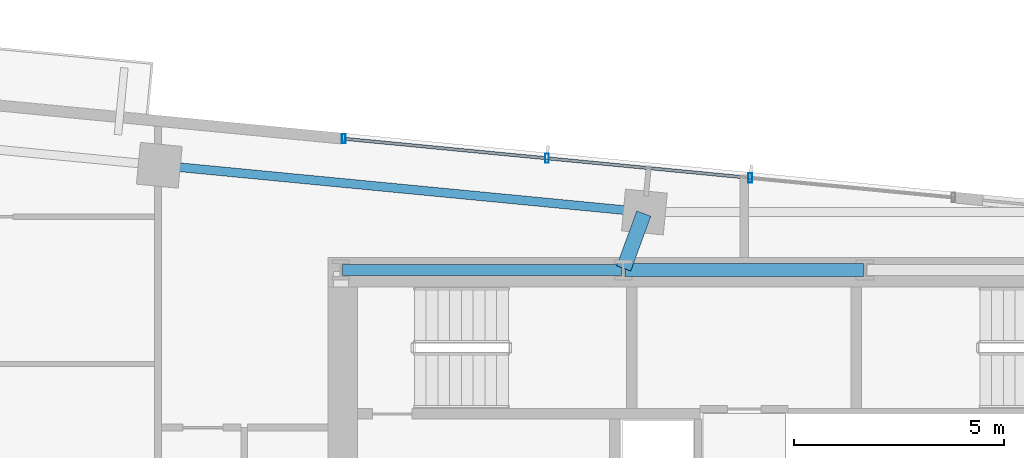
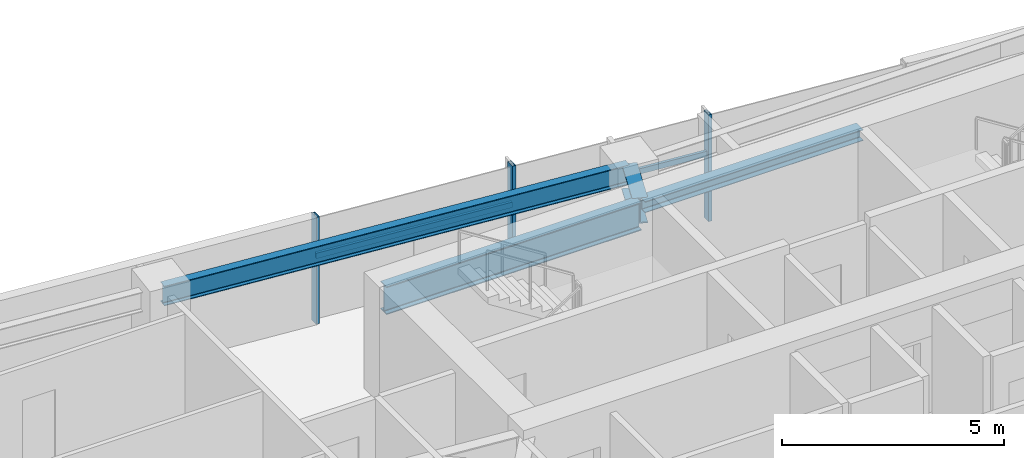
# One storey, part 7 of 19: 5 members, 4 beams, 1 element without a shape of its own.
"""IFC4 building model written with IfcOpenShell, lengths in metres."""

from ifc_helpers import new_model, si_unit, direction, frame, origin, origin_2d, place, context, subcontext, project, spatial, hollow_rectangle, i_section, extrude, source, transform, mapped, material, material_profile, profile_set, type_object, type_shapes, element, aggregate, save


model = new_model("IFC4")

# Units and contexts
model_context = context("Model", 3, precision=1e-05, world=origin(), true_north=direction((0.0, 1.0)))
body_context = subcontext(model_context, "Body", "Model", "MODEL_VIEW")
ifc_project = project(units=[si_unit("LENGTHUNIT", "METRE"), si_unit("AREAUNIT", "SQUARE_METRE"), si_unit("VOLUMEUNIT", "CUBIC_METRE"), si_unit("PLANEANGLEUNIT", "RADIAN"), si_unit("MASSUNIT", "GRAM", prefix="KILO")], contexts=[model_context])

# Site, building, storey
site_placement = place(None, origin())
site = spatial("IfcSite", under=ifc_project, at=site_placement, CompositionType="ELEMENT")
building_placement = place(site_placement, origin())
building = spatial("IfcBuilding", under=site, at=building_placement, Name="Astriad Promenade Condominiums", CompositionType="ELEMENT")
storey_placement = place(building_placement, frame((0.0, 0.0, 147.0)))
storey = spatial("IfcBuildingStorey", under=building, at=storey_placement, Name="L42", CompositionType="ELEMENT", Elevation=147.0)

# Beams
ifc_material_1 = material(Name="Steel ASTM A992 Grade 50", Category="steel")
ifc_material_profile_1 = material_profile(ifc_material_1, i_section(OverallWidth=0.267822265625, OverallDepth=0.76953125, WebThickness=0.015625, FlangeThickness=0.025390625, FilletRadius=0.021484375, at=origin_2d()), Name="W30X132")
ifc_profile_set_1 = profile_set([ifc_material_profile_1], Name="Steel ASTM A992 Grade 50")
beam_type_1 = type_object("IfcBeamType", Name="STEEL FLOOR GIRDER W30X132", PredefinedType="BEAM", material=ifc_profile_set_1)
shared_shape_1 = source(origin(), body_context, "Body", "SweptSolid", [
    extrude(i_section(OverallWidth=0.267822265625, OverallDepth=0.76953125, WebThickness=0.015625, FlangeThickness=0.025390625, FilletRadius=0.021484375, at=origin_2d()), origin(), (0.0, 0.0, 1.0), 6.64013671875),
])
type_shapes(beam_type_1, [shared_shape_1])
beam_1_placement = place(storey_placement, frame((26.43994140625, 24.0, 2.55517578125), z_axis=(1.0, 0.0, 0.0), x_axis=(0.0, 1.0, 0.0)))
element("IfcBeam", 1, at=beam_1_placement, inside=storey, type_object=beam_type_1, Name="Core Ring Beam CG-N1-L42", PredefinedType="BEAM", context=body_context, shape_type="MappedRepresentation", body=[
    mapped(shared_shape_1, transform((0.0, 0.0, 0.0), scale=1.0)),
])
ifc_material_profile_2 = material_profile(ifc_material_1, i_section(OverallWidth=0.3046875, OverallDepth=0.307861328125, WebThickness=0.010009765625, FlangeThickness=0.015380859375, FilletRadius=0.01513671875, at=origin_2d()), Name="W12X65")
ifc_profile_set_2 = profile_set([ifc_material_profile_2], Name="Steel ASTM A992 Grade 50")
beam_type_2 = type_object("IfcBeamType", Name="STEEL OPENING LINTEL W12X65", PredefinedType="LINTEL", material=ifc_profile_set_2)
shared_shape_2 = source(origin(), body_context, "Body", "SweptSolid", [
    extrude(i_section(OverallWidth=0.3046875, OverallDepth=0.307861328125, WebThickness=0.010009765625, FlangeThickness=0.015380859375, FilletRadius=0.01513671875, at=origin_2d()), origin(), (0.0, 0.0, 1.0), 5.68017578125),
])
type_shapes(beam_type_2, [shared_shape_2])
beam_2_placement = place(storey_placement, frame((33.159912109375, 24.0, 2.7861328125), z_axis=(1.0, 0.0, 0.0), x_axis=(0.0, 1.0, 0.0)))
element("IfcBeam", 2, at=beam_2_placement, inside=storey, type_object=beam_type_2, Name="Core Ring Beam CG-N2-L42", PredefinedType="LINTEL", context=body_context, shape_type="MappedRepresentation", body=[
    mapped(shared_shape_2, transform((0.0, 0.0, 0.0), scale=1.0)),
])
ifc_material_profile_3 = material_profile(ifc_material_1, i_section(OverallWidth=0.210693359375, OverallDepth=0.53955078125, WebThickness=0.01171875, FlangeThickness=0.018798828125, FilletRadius=0.0166015625, at=origin_2d()), Name="W21X73")
ifc_profile_set_3 = profile_set([ifc_material_profile_3], Name="Steel ASTM A992 Grade 50")
beam_type_3 = type_object("IfcBeamType", Name="STEEL SPANDREL BEAM W21X73", PredefinedType="SPANDREL", material=ifc_profile_set_3)
shared_shape_3 = source(origin(), body_context, "Body", "SweptSolid", [
    extrude(i_section(OverallWidth=0.210693359375, OverallDepth=0.53955078125, WebThickness=0.01171875, FlangeThickness=0.018798828125, FilletRadius=0.0166015625, at=origin_2d()), origin(), (0.0, 0.0, 1.0), 11.52001953125),
])
type_shapes(beam_type_3, [shared_shape_3])
beam_3_placement = place(storey_placement, frame((33.58642578125, 25.384033203125, 2.67041015625), z_axis=(-0.9953953902, 0.095854145285, 0.0), x_axis=(-0.095854145285, -0.9953953902, 0.0)))
element("IfcBeam", 3, at=beam_3_placement, inside=storey, type_object=beam_type_3, Name="Perimeter Spandrel Beam SP-N2-L42", PredefinedType="SPANDREL", context=body_context, shape_type="MappedRepresentation", body=[
    mapped(shared_shape_3, transform((0.0, 0.0, 0.0), scale=1.0)),
])
ifc_material_profile_4 = material_profile(ifc_material_1, i_section(OverallWidth=0.35791015625, OverallDepth=0.706298828125, WebThickness=0.018310546875, FlangeThickness=0.0302734375, FilletRadius=0.020263671875, at=origin_2d()), Name="W27X178")
ifc_profile_set_4 = profile_set([ifc_material_profile_4], Name="Steel ASTM A992 Grade 50")
beam_type_4 = type_object("IfcBeamType", Name="STEEL FLOOR GIRDER W27X178", PredefinedType="BEAM", material=ifc_profile_set_4)
shared_shape_4 = source(origin(), body_context, "Body", "SweptSolid", [
    extrude(i_section(OverallWidth=0.35791015625, OverallDepth=0.706298828125, WebThickness=0.018310546875, FlangeThickness=0.0302734375, FilletRadius=0.020263671875, at=origin_2d()), origin(), (0.0, 0.0, 1.0), 1.39013671875),
])
type_shapes(beam_type_4, [shared_shape_4])
beam_4_placement = place(storey_placement, frame((33.6123046875, 25.3427734375, 2.5869140625), z_axis=(-0.344223686797, -0.938887668173, 0.0), x_axis=(0.938887668173, -0.344223686797, 0.0)))
element("IfcBeam", 4, at=beam_4_placement, inside=storey, type_object=beam_type_4, Name="Primary Floor Girder PG-NC-L42", PredefinedType="BEAM", context=body_context, shape_type="MappedRepresentation", body=[
    mapped(shared_shape_4, transform((0.0, 0.0, 0.0), scale=1.0)),
])

# Curtain wall, members
ifc_material_2 = material(Name="Anodised aluminium Black Dark Glass Unitised", Category="aluminium")
curtain_wall_type = type_object("IfcCurtainWallType", Name="CW-B34-DARK", PredefinedType="USERDEFINED", material=ifc_material_2)
curtain_wall_placement = place(storey_placement, origin())
curtain_wall = element("IfcCurtainWall", 5, at=curtain_wall_placement, inside=storey, type_object=curtain_wall_type, Name="CW-L42-N", ObjectType="UNITISED_CURTAIN_WALL", PredefinedType="USERDEFINED")
ifc_material_3 = material(Name="Anodised aluminium 6063-T6 Black", Category="aluminium")
ifc_material_profile_5 = material_profile(ifc_material_3, hollow_rectangle(XDim=0.0849609375, YDim=0.219970703125, WallThickness=0.0048828125, at=origin_2d()), Name="ALU-MUL-85X220")
ifc_profile_set_5 = profile_set([ifc_material_profile_5], Name="Anodised aluminium 6063-T6 Black")
member_type_1 = type_object("IfcMemberType", Name="MUL-ALU-MUL-85X220", PredefinedType="MULLION", material=ifc_profile_set_5)
shared_shape_5 = source(origin(), body_context, "Body", "SweptSolid", [
    extrude(hollow_rectangle(XDim=0.0849609375, YDim=0.219970703125, WallThickness=0.0048828125, at=origin_2d()), origin(), (0.0, 0.0, 1.0), 2.93994140625),
])
type_shapes(member_type_1, [shared_shape_5])
member_1_placement = place(storey_placement, frame((26.470458984375, 27.124267578125, 0.0), z_axis=(0.0, 0.0, 1.0), x_axis=(1.0, 0.0, 0.0)))
member_1 = element("IfcMember", 6, at=member_1_placement, type_object=member_type_1, Name="CW-L42-N-MUL-00", PredefinedType="MULLION", context=body_context, shape_type="MappedRepresentation", body=[
    mapped(shared_shape_5, transform((0.0, 0.0, 0.0), scale=1.0)),
])
member_2_placement = place(storey_placement, frame((31.30810546875, 26.658447265625, 0.0), z_axis=(0.0, 0.0, 1.0), x_axis=(1.0, 0.0, 0.0)))
member_2 = element("IfcMember", 7, at=member_2_placement, type_object=member_type_1, Name="CW-L42-N-MUL-01", PredefinedType="MULLION", context=body_context, shape_type="MappedRepresentation", body=[
    mapped(shared_shape_5, transform((0.0, 0.0, 0.0), scale=1.0)),
])
member_3_placement = place(storey_placement, frame((36.145751953125, 26.1923828125, 0.0), z_axis=(0.0, 0.0, 1.0), x_axis=(1.0, 0.0, 0.0)))
member_3 = element("IfcMember", 8, at=member_3_placement, type_object=member_type_1, Name="CW-L42-N-MUL-02", PredefinedType="MULLION", context=body_context, shape_type="MappedRepresentation", body=[
    mapped(shared_shape_5, transform((0.0, 0.0, 0.0), scale=1.0)),
])
ifc_material_profile_6 = material_profile(ifc_material_3, hollow_rectangle(XDim=0.074951171875, YDim=0.14990234375, WallThickness=0.004150390625, at=origin_2d()), Name="ALU-TRN-75X150")
ifc_profile_set_6 = profile_set([ifc_material_profile_6], Name="Anodised aluminium 6063-T6 Black")
member_type_2 = type_object("IfcMemberType", Name="TRN-ALU-TRN-75X150", PredefinedType="USERDEFINED", material=ifc_profile_set_6)
shared_shape_6 = source(origin(), body_context, "Body", "SweptSolid", [
    extrude(hollow_rectangle(XDim=0.074951171875, YDim=0.14990234375, WallThickness=0.004150390625, at=origin_2d()), origin(), (0.0, 0.0, 1.0), 4.860107421875),
])
type_shapes(member_type_2, [shared_shape_6])
member_4_placement = place(storey_placement, frame((26.470458984375, 27.124267578125, 1.82275390625), z_axis=(0.995396042559, -0.095847370639, 0.0), x_axis=(0.095847370639, 0.995396042559, 0.0)))
member_4 = element("IfcMember", 9, at=member_4_placement, type_object=member_type_2, Name="CW-L42-N-TRN-00-0", ObjectType="TRANSOM", PredefinedType="USERDEFINED", context=body_context, shape_type="MappedRepresentation", body=[
    mapped(shared_shape_6, transform((0.0, 0.0, 0.0), scale=1.0)),
])
member_5_placement = place(storey_placement, frame((31.30810546875, 26.658447265625, 1.82275390625), z_axis=(0.995391248663, -0.09589714326, 0.0), x_axis=(0.09589714326, 0.995391248663, 0.0)))
member_5 = element("IfcMember", 10, at=member_5_placement, type_object=member_type_2, Name="CW-L42-N-TRN-01-0", ObjectType="TRANSOM", PredefinedType="USERDEFINED", context=body_context, shape_type="MappedRepresentation", body=[
    mapped(shared_shape_6, transform((0.0, 0.0, 0.0), scale=1.0)),
])
aggregate(curtain_wall, [member_1, member_2, member_3, member_4, member_5])

save(model, "model.ifc")
